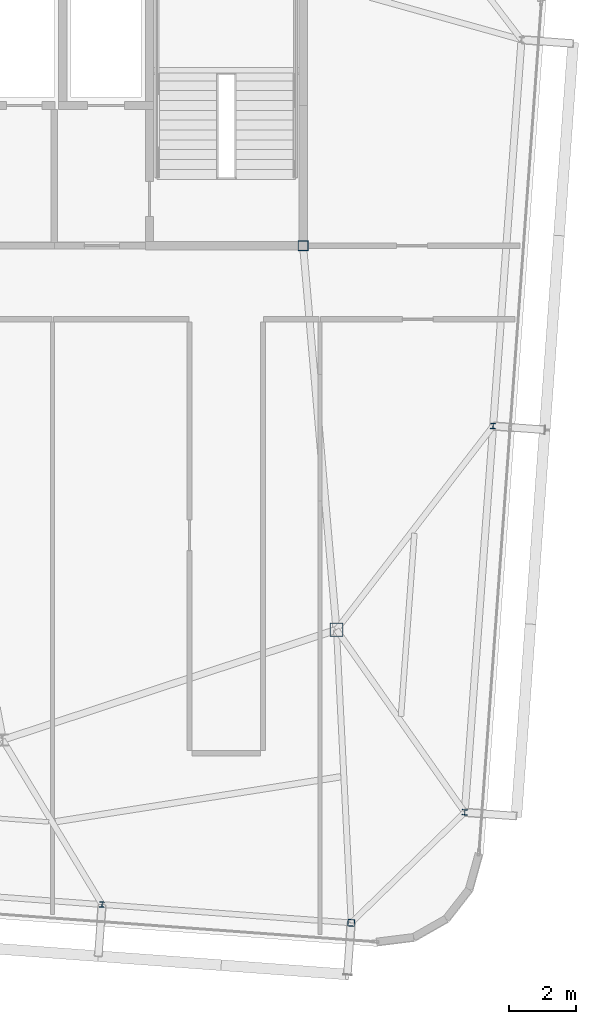
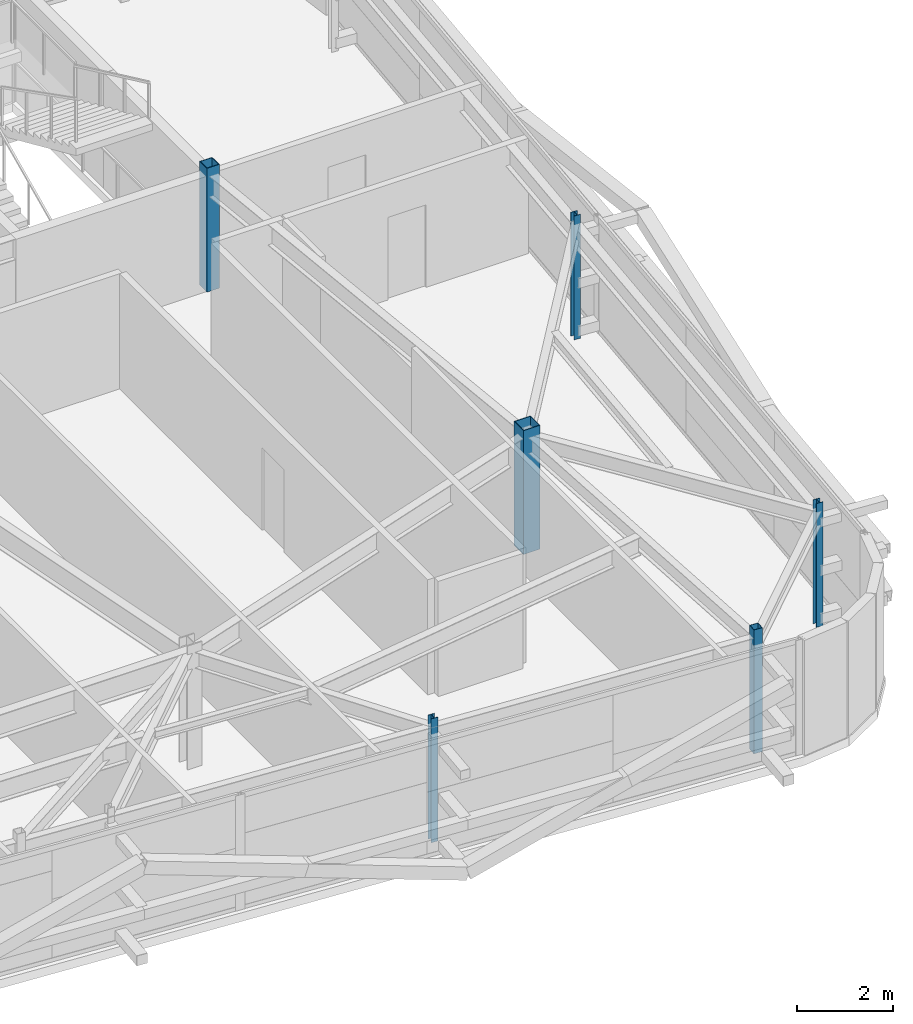
# One storey, part 5 of 34: 6 columns.
"""IFC4 building model written with IfcOpenShell, lengths in metres."""

from ifc_helpers import new_model, si_unit, direction, frame, origin, origin_2d, place, context, subcontext, project, spatial, hollow_rectangle, i_section, extrude, source, transform, mapped, material, material_profile, profile_set, type_object, element, save


model = new_model("IFC4")

# Units and contexts
model_context = context("Model", 3, precision=1e-05, world=origin(), true_north=direction((0.0, 1.0)))
body_context = subcontext(model_context, "Body", "Model", "MODEL_VIEW")
ifc_project = project(units=[si_unit("LENGTHUNIT", "METRE"), si_unit("AREAUNIT", "SQUARE_METRE"), si_unit("VOLUMEUNIT", "CUBIC_METRE"), si_unit("PLANEANGLEUNIT", "RADIAN"), si_unit("MASSUNIT", "GRAM", prefix="KILO")], contexts=[model_context])

# Site, building, storey
site_placement = place(None, origin())
site = spatial("IfcSite", under=ifc_project, at=site_placement, CompositionType="ELEMENT")
building_placement = place(site_placement, origin())
building = spatial("IfcBuilding", under=site, at=building_placement, Name="Taldren Reach Tower", CompositionType="ELEMENT")
storey_placement = place(building_placement, frame((0.0, 0.0, 242.89990234375)))
storey = spatial("IfcBuildingStorey", under=building, at=storey_placement, Name="L74", CompositionType="ELEMENT", Elevation=242.89990234375)

# Columns
ifc_material_1 = material(Name="Steel Gr 450 (C450L0)", Category="steel")
ifc_material_profile_1 = material_profile(ifc_material_1, hollow_rectangle(XDim=0.39990234375, YDim=0.39990234375, WallThickness=0.01611328125, at=origin_2d()), Name="400x400x16.0SHS")
ifc_profile_set_1 = profile_set([ifc_material_profile_1], Name="Steel Gr 450 (C450L0)")
column_type_1 = type_object("IfcColumnType", Name="COL-SHS400", PredefinedType="COLUMN", material=ifc_profile_set_1)
shared_shape_1 = source(origin(), body_context, "Body", "SweptSolid", [
    extrude(hollow_rectangle(XDim=0.39990234375, YDim=0.39990234375, WallThickness=0.01611328125, at=origin_2d()), origin(), (0.0, 0.0, 1.0), 3.150146484375),
])
column_1_placement = place(storey_placement, frame((52.0, 12.5, 0.0), z_axis=(0.0, 0.0, 1.0), x_axis=(1.0, 0.0, 0.0)))
element("IfcColumn", 1, at=column_1_placement, inside=storey, type_object=column_type_1, Name="Mega column MC-SE L74", PredefinedType="COLUMN", context=body_context, shape_type="MappedRepresentation", body=[
    mapped(shared_shape_1, transform((0.0, 0.0, 0.0), scale=1.0)),
])
ifc_material_profile_2 = material_profile(ifc_material_1, hollow_rectangle(XDim=0.300048828125, YDim=0.300048828125, WallThickness=0.012451171875, at=origin_2d()), Name="300x300x12.5SHS")
ifc_profile_set_2 = profile_set([ifc_material_profile_2], Name="Steel Gr 450 (C450L0)")
column_type_2 = type_object("IfcColumnType", Name="COL-SHS300", PredefinedType="COLUMN", material=ifc_profile_set_2)
shared_shape_2 = source(origin(), body_context, "Body", "SweptSolid", [
    extrude(hollow_rectangle(XDim=0.300048828125, YDim=0.300048828125, WallThickness=0.012451171875, at=origin_2d()), origin(), (0.0, 0.0, 1.0), 3.150146484375),
])
column_2_placement = place(storey_placement, frame((51.0, 24.0, 0.0), z_axis=(0.0, 0.0, 1.0), x_axis=(1.0, 0.0, 0.0)))
element("IfcColumn", 2, at=column_2_placement, inside=storey, type_object=column_type_2, Name="Mega column MC-C4 L74", PredefinedType="COLUMN", context=body_context, shape_type="MappedRepresentation", body=[
    mapped(shared_shape_2, transform((0.0, 0.0, 0.0), scale=1.0)),
])
ifc_material_2 = material(Name="Steel Gr 350 (C350L0)", Category="steel")
ifc_material_profile_3 = material_profile(ifc_material_2, hollow_rectangle(XDim=0.199951171875, YDim=0.199951171875, WallThickness=0.009033203125, at=origin_2d()), Name="200x200x9.0SHS")
ifc_profile_set_3 = profile_set([ifc_material_profile_3], Name="Steel Gr 350 (C350L0)")
column_type_3 = type_object("IfcColumnType", Name="COL-SHS200", PredefinedType="COLUMN", material=ifc_profile_set_3)
shared_shape_3 = source(origin(), body_context, "Body", "SweptSolid", [
    extrude(hollow_rectangle(XDim=0.199951171875, YDim=0.199951171875, WallThickness=0.009033203125, at=origin_2d()), origin(), (0.0, 0.0, 1.0), 3.150146484375),
])
column_3_placement = place(storey_placement, frame((52.440185546875, 3.72119140625, 0.0), z_axis=(0.0, 0.0, 1.0), x_axis=(0.997314477224, -0.073238197128, 0.0)))
element("IfcColumn", 3, at=column_3_placement, inside=storey, type_object=column_type_3, Name="Block B5 perimeter column S6 L74", PredefinedType="COLUMN", context=body_context, shape_type="MappedRepresentation", body=[
    mapped(shared_shape_3, transform((0.0, 0.0, 0.0), scale=1.0)),
])
ifc_material_3 = material(Name="Steel Gr 350 (350PLUS)", Category="steel")
ifc_material_profile_4 = material_profile(ifc_material_3, i_section(OverallWidth=0.154052734375, OverallDepth=0.162109375, WebThickness=0.008056640625, FlangeThickness=0.011474609375, at=origin_2d()), Name="150UC37.2")
ifc_profile_set_4 = profile_set([ifc_material_profile_4], Name="Steel Gr 350 (350PLUS)")
column_type_4 = type_object("IfcColumnType", Name="COL-UC150", PredefinedType="COLUMN", material=ifc_profile_set_4)
shared_shape_4 = source(origin(), body_context, "Body", "SweptSolid", [
    extrude(i_section(OverallWidth=0.154052734375, OverallDepth=0.162109375, WebThickness=0.008056640625, FlangeThickness=0.011474609375, at=origin_2d()), origin(), (0.0, 0.0, 1.0), 3.150146484375),
])
for number, where, z_axis, x_axis, name in (
    (4, (44.980224609375, 4.26904296875, 0.0), (0.0, 0.0, 1.0), (0.997314477224, -0.073238197128, 0.0), "Block B5 perimeter column S5 L74"),
    (5, (55.841796875, 7.031005859375, 0.0), (0.0, 0.0, 1.0), (0.997314477224, -0.073238197128, 0.0), "Block B5 perimeter column E1 L74"),
    (6, (56.69140625, 18.599853515625, 0.0), (0.0, 0.0, 1.0), (0.997314477224, -0.073238197128, 0.0), "Block B5 perimeter column E2 L74"),
):
    element("IfcColumn", number, at=place(storey_placement, frame(where, z_axis=z_axis, x_axis=x_axis)), inside=storey, type_object=column_type_4, Name=name, PredefinedType="COLUMN", context=body_context, shape_type="MappedRepresentation", body=[
        mapped(shared_shape_4, transform((0.0, 0.0, 0.0), scale=1.0)),
    ])

save(model, "model.ifc")
